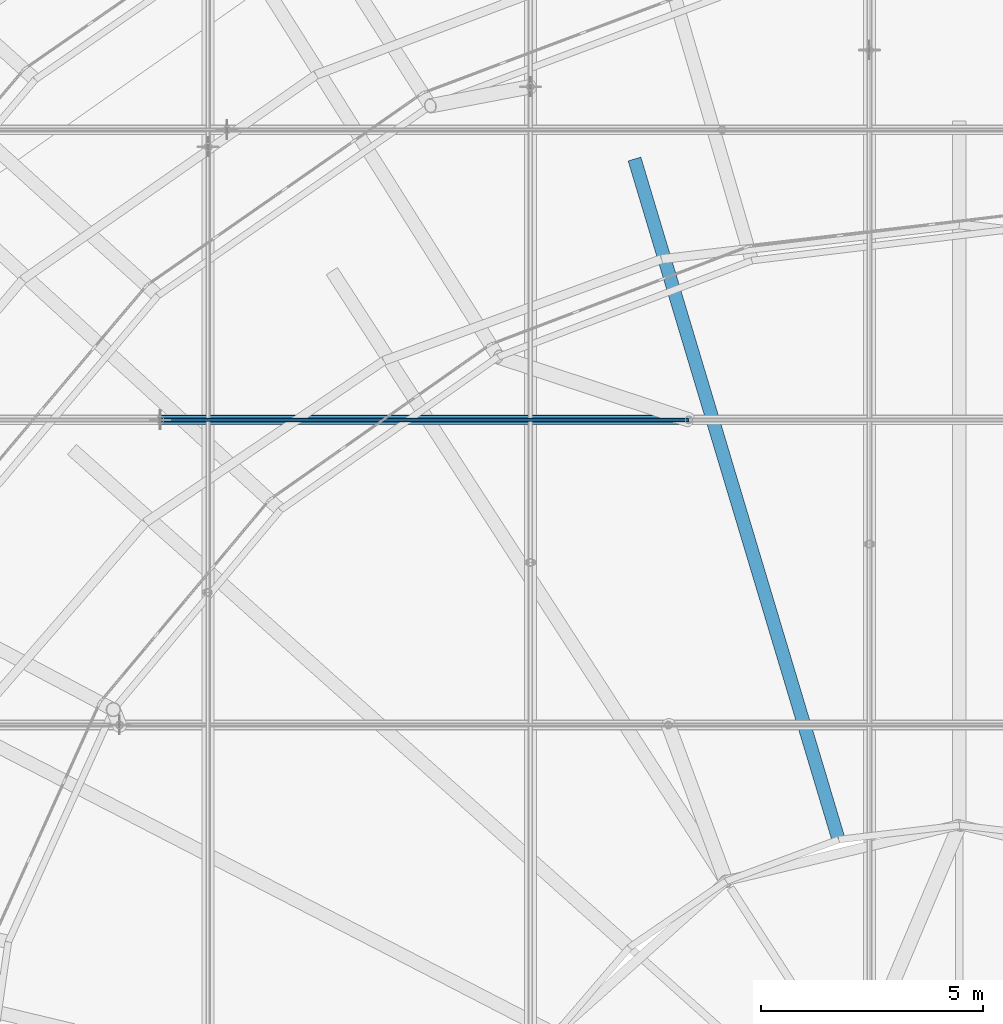
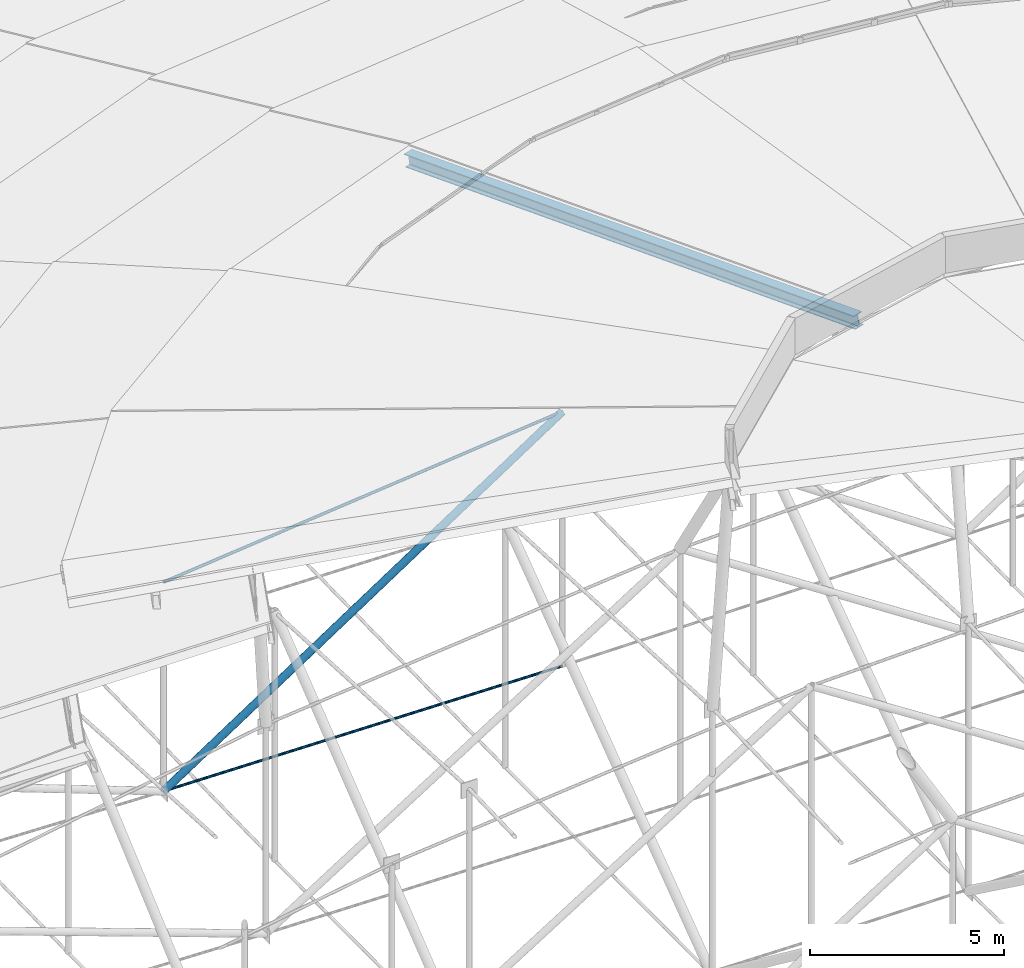
# One storey, part 65 of 173: 4 members.
"""IFC4 building model written with IfcOpenShell, lengths in metres."""

from ifc_helpers import new_model, si_unit, direction, frame, origin, origin_2d, place, context, subcontext, project, spatial, circle, hollow_circle, i_section, extrude, material, material_profile, profile_set, type_object, element, save


model = new_model("IFC4")

# Units and contexts
model_context = context("Model", 3, precision=1e-05, world=origin(), true_north=direction((0.0, 1.0)))
body_context = subcontext(model_context, "Body", "Model", "MODEL_VIEW")
ifc_project = project(units=[si_unit("LENGTHUNIT", "METRE"), si_unit("AREAUNIT", "SQUARE_METRE"), si_unit("VOLUMEUNIT", "CUBIC_METRE"), si_unit("PLANEANGLEUNIT", "RADIAN"), si_unit("MASSUNIT", "GRAM", prefix="KILO")], contexts=[model_context])

# Site, building, storey
site_placement = place(None, origin())
site = spatial("IfcSite", under=ifc_project, at=site_placement, CompositionType="ELEMENT")
building_placement = place(site_placement, origin())
building = spatial("IfcBuilding", under=site, at=building_placement, Name="Glasvene Arena", CompositionType="ELEMENT")
storey_placement = place(building_placement, frame((0.0, 0.0, 28.800048828125)))
storey = spatial("IfcBuildingStorey", under=building, at=storey_placement, Name="RF", CompositionType="ELEMENT", Elevation=28.800048828125)

# Members
ifc_material_1 = material(Name="High-strength steel spiral strand S460", Category="steel")
ifc_material_profile_1 = material_profile(ifc_material_1, circle(Radius=0.03759765625, at=origin_2d()), Name="LCSS D75")
ifc_profile_set_1 = profile_set([ifc_material_profile_1], Name="High-strength steel spiral strand S460")
member_type_1 = type_object("IfcMemberType", Name="MB-CABLE-75", PredefinedType="USERDEFINED", material=ifc_profile_set_1)
member_1_placement = place(storey_placement, frame((68.2236328125, 86.90576171875, -2.112548828125), z_axis=(0.999835625889, 0.0, -0.01813067026), x_axis=(0.0, 1.0, 0.0)))
element("IfcMember", 1, at=member_1_placement, inside=storey, type_object=member_type_1, Name="Lower stabilization roof cable EW06-03", ObjectType="ROOF CABLE", PredefinedType="USERDEFINED", context=body_context, shape_type="SweptSolid", body=[
    extrude(circle(Radius=0.03759765625, at=origin_2d()), origin(), (0.0, 0.0, 1.0), 11.89013671875),
])
ifc_material_profile_2 = material_profile(ifc_material_1, circle(Radius=0.044921875, at=origin_2d()), Name="LCSS D90")
ifc_profile_set_2 = profile_set([ifc_material_profile_2], Name="High-strength steel spiral strand S460")
member_type_2 = type_object("IfcMemberType", Name="MB-CABLE-90", PredefinedType="USERDEFINED", material=ifc_profile_set_2)
member_2_placement = place(storey_placement, frame((68.2236328125, 86.90576171875, 4.472900390625), z_axis=(0.99479647415, 0.0, 0.101882162414), x_axis=(0.0, 1.0, 0.0)))
element("IfcMember", 2, at=member_2_placement, inside=storey, type_object=member_type_2, Name="Upper lens roof cable EW06-03", ObjectType="ROOF CABLE", PredefinedType="USERDEFINED", context=body_context, shape_type="SweptSolid", body=[
    extrude(circle(Radius=0.044921875, at=origin_2d()), origin(), (0.0, 0.0, 1.0), 11.950439453125),
])
ifc_material_2 = material(Name="Steel S355J2", Category="steel")
ifc_material_profile_3 = material_profile(ifc_material_2, i_section(OverallWidth=0.300048828125, OverallDepth=0.39990234375, WebThickness=0.013427734375, FlangeThickness=0.02392578125, FilletRadius=0.027099609375, at=origin_2d()), Name="HEB 400")
ifc_profile_set_3 = profile_set([ifc_material_profile_3], Name="Steel S355J2")
member_type_3 = type_object("IfcMemberType", Name="MB-CHORD-HEB400", PredefinedType="CHORD", material=ifc_profile_set_3)
member_3_placement = place(storey_placement, frame((78.9013671875, 92.7412109375, 10.550048828125), z_axis=(0.283614657463, -0.94585578953, 0.157859277475), x_axis=(0.957865877078, 0.287215879662, 0.0)))
element("IfcMember", 3, at=member_3_placement, inside=storey, type_object=member_type_3, Name="Petal ring 5 radial rib 08", PredefinedType="CHORD", context=body_context, shape_type="SweptSolid", body=[
    extrude(i_section(OverallWidth=0.300048828125, OverallDepth=0.39990234375, WebThickness=0.013427734375, FlangeThickness=0.02392578125, FilletRadius=0.027099609375, at=origin_2d()), origin(), (0.0, 0.0, 1.0), 16.15234375),
])
ifc_material_profile_4 = material_profile(ifc_material_2, hollow_circle(Radius=0.109619140625, WallThickness=0.010009765625, at=origin_2d()), Name="CHS 219.1x10.0")
ifc_profile_set_4 = profile_set([ifc_material_profile_4], Name="Steel S355J2")
member_type_4 = type_object("IfcMemberType", Name="MB-WEB-CHS219", PredefinedType="BRACE", material=ifc_profile_set_4)
member_4_placement = place(storey_placement, frame((68.2236328125, 86.90576171875, -2.112548828125), z_axis=(0.836004102068, 0.0, 0.548723191896), x_axis=(0.0, 1.0, 0.0)))
element("IfcMember", 4, at=member_4_placement, inside=storey, type_object=member_type_4, Name="Cable-truss diagonal web strut EW06-03", PredefinedType="BRACE", context=body_context, shape_type="SweptSolid", body=[
    extrude(hollow_circle(Radius=0.109619140625, WallThickness=0.010009765625, at=origin_2d()), origin(), (0.0, 0.0, 1.0), 14.22021484375),
])

save(model, "model.ifc")
